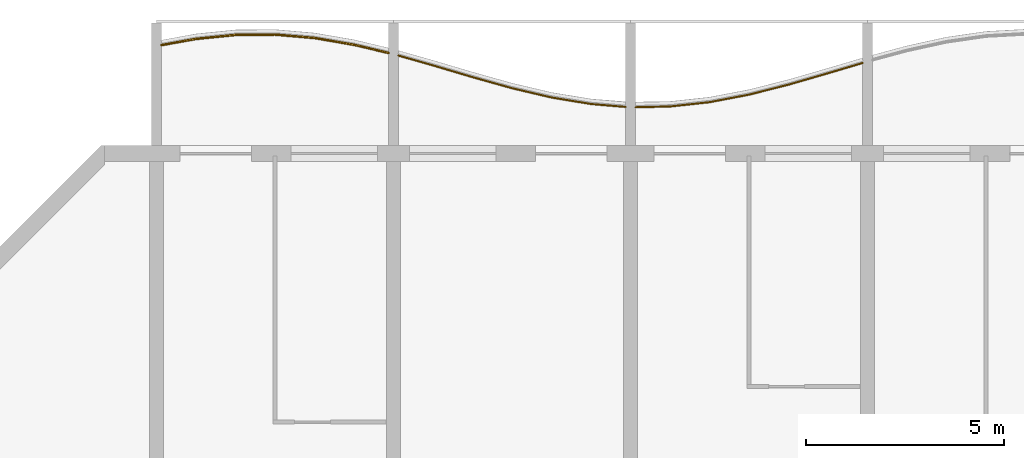
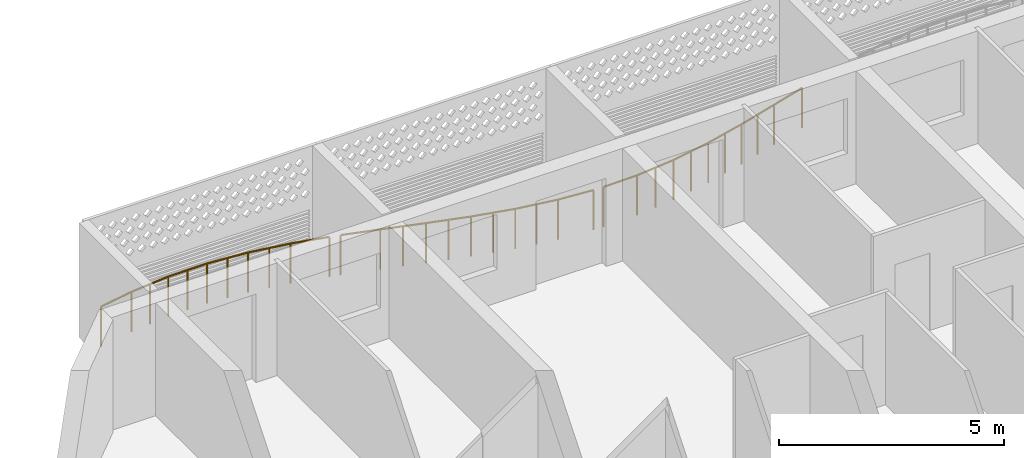
# One storey, part 17 of 24: 3 railings.
"""IFC4 building model written with IfcOpenShell, lengths in metres."""

from ifc_helpers import new_model, si_unit, direction, frame, origin, origin_2d, place, context, subcontext, project, spatial, circle, extrude, material, type_object, element, save


model = new_model("IFC4")

# Units and contexts
model_context = context("Model", 3, precision=1e-05, world=origin(), true_north=direction((0.0, 1.0)))
body_context = subcontext(model_context, "Body", "Model", "MODEL_VIEW")
ifc_project = project(units=[si_unit("LENGTHUNIT", "METRE"), si_unit("AREAUNIT", "SQUARE_METRE"), si_unit("VOLUMEUNIT", "CUBIC_METRE"), si_unit("PLANEANGLEUNIT", "RADIAN"), si_unit("MASSUNIT", "GRAM", prefix="KILO")], contexts=[model_context])

# Site, building, storey
site_placement = place(None, origin())
site = spatial("IfcSite", under=ifc_project, at=site_placement, CompositionType="ELEMENT")
building_placement = place(site_placement, origin())
building = spatial("IfcBuilding", under=site, at=building_placement, Name="Poui Terraces", CompositionType="ELEMENT")
storey_placement = place(building_placement, frame((0.0, 0.0, 109.199951171875)))
storey = spatial("IfcBuildingStorey", under=building, at=storey_placement, Name="L30", CompositionType="ELEMENT", Elevation=109.199951171875)

# Railings
ifc_material = material(Name="Painted steel fretwork", Category="steel")
railing_type = type_object("IfcRailingType", Name="BALCONY GUARD 1100", PredefinedType="GUARDRAIL", material=ifc_material)
railing_1_placement = place(storey_placement, frame((18.125, 46.3447265625, 0.0)))
element("IfcRailing", 1, at=railing_1_placement, inside=storey, type_object=railing_type, Name="BALCONY GUARD", PredefinedType="GUARDRAIL", context=body_context, shape_type="SweptSolid", body=[
    extrude(circle(Radius=0.02392578125, at=origin_2d()), frame((0.0, 0.0, 1.076171875), z_axis=(0.984189068803, 0.177121079626, 0.0), x_axis=(-0.177121079626, 0.984189068803, 0.0)), (0.0, 0.0, 1.0), 0.88916015625),
    extrude(circle(Radius=0.02392578125, at=origin_2d()), frame((0.875, 0.157470703125, 1.076171875), z_axis=(0.994882088655, 0.101042712129, 0.0), x_axis=(-0.101042712129, 0.994882088655, 0.0)), (0.0, 0.0, 1.0), 1.005126953125),
    extrude(circle(Radius=0.02392578125, at=origin_2d()), frame((1.875, 0.259033203125, 1.076171875), z_axis=(0.999967546851, 0.008056379162, 0.0), x_axis=(-0.008056379162, 0.999967546851, 0.0)), (0.0, 0.0, 1.0), 1.0),
    extrude(circle(Radius=0.02392578125, at=origin_2d()), frame((2.875, 0.26708984375, 1.076171875), z_axis=(0.996286084847, -0.086104803231, 0.0), x_axis=(0.086104803231, 0.996286084847, 0.0)), (0.0, 0.0, 1.0), 1.003662109375),
    extrude(circle(Radius=0.02392578125, at=origin_2d()), frame((3.875, 0.1806640625, 1.076171875), z_axis=(0.98554889076, -0.169391215599, 0.0), x_axis=(0.169391215599, 0.98554889076, 0.0)), (0.0, 0.0, 1.0), 1.0146484375),
    extrude(circle(Radius=0.02392578125, at=origin_2d()), frame((4.875, 0.0087890625, 1.076171875), z_axis=(0.973192348595, -0.229992723008, 0.0), x_axis=(0.229992723008, 0.973192348595, 0.0)), (0.0, 0.0, 1.0), 0.899169921875),
    extrude(circle(Radius=0.02099609375, at=origin_2d()), origin(), (0.0, 0.0, 1.0), 1.052001953125),
    extrude(circle(Radius=0.02099609375, at=origin_2d()), frame((0.875, 0.157470703125, 0.0)), (0.0, 0.0, 1.0), 1.052001953125),
    extrude(circle(Radius=0.02099609375, at=origin_2d()), frame((1.375, 0.208251953125, 0.0)), (0.0, 0.0, 1.0), 1.052001953125),
    extrude(circle(Radius=0.02099609375, at=origin_2d()), frame((1.875, 0.259033203125, 0.0)), (0.0, 0.0, 1.0), 1.052001953125),
    extrude(circle(Radius=0.02099609375, at=origin_2d()), frame((2.375, 0.26318359375, 0.0)), (0.0, 0.0, 1.0), 1.052001953125),
    extrude(circle(Radius=0.02099609375, at=origin_2d()), frame((2.875, 0.26708984375, 0.0)), (0.0, 0.0, 1.0), 1.052001953125),
    extrude(circle(Radius=0.02099609375, at=origin_2d()), frame((3.375, 0.223876953125, 0.0)), (0.0, 0.0, 1.0), 1.052001953125),
    extrude(circle(Radius=0.02099609375, at=origin_2d()), frame((3.875, 0.1806640625, 0.0)), (0.0, 0.0, 1.0), 1.052001953125),
    extrude(circle(Radius=0.02099609375, at=origin_2d()), frame((4.375, 0.0947265625, 0.0)), (0.0, 0.0, 1.0), 1.052001953125),
    extrude(circle(Radius=0.02099609375, at=origin_2d()), frame((4.875, 0.0087890625, 0.0)), (0.0, 0.0, 1.0), 1.052001953125),
    extrude(circle(Radius=0.02099609375, at=origin_2d()), frame((5.75, -0.197998046875, 0.0)), (0.0, 0.0, 1.0), 1.052001953125),
])
railing_2_placement = place(storey_placement, frame((24.125, 46.080322265625, 0.0)))
element("IfcRailing", 2, at=railing_2_placement, inside=storey, type_object=railing_type, Name="BALCONY GUARD", PredefinedType="GUARDRAIL", context=body_context, shape_type="SweptSolid", body=[
    extrude(circle(Radius=0.02392578125, at=origin_2d()), frame((0.0, 0.0, 1.076171875), z_axis=(0.961736307653, -0.273976777376, 0.0), x_axis=(0.273976777376, 0.961736307653, 0.0)), (0.0, 0.0, 1.0), 0.909912109375),
    extrude(circle(Radius=0.02392578125, at=origin_2d()), frame((0.875, -0.249267578125, 1.076171875), z_axis=(0.958710700624, -0.284383179018, 0.0), x_axis=(0.284383179018, 0.958710700624, 0.0)), (0.0, 0.0, 1.0), 1.04296875),
    extrude(circle(Radius=0.02392578125, at=origin_2d()), frame((1.875, -0.5458984375, 1.076171875), z_axis=(0.962895626656, -0.269874067237, 0.0), x_axis=(0.269874067237, 0.962895626656, 0.0)), (0.0, 0.0, 1.0), 1.03857421875),
    extrude(circle(Radius=0.02392578125, at=origin_2d()), frame((2.875, -0.826171875, 1.076171875), z_axis=(0.973510598085, -0.228641893398, 0.0), x_axis=(0.228641893398, 0.973510598085, 0.0)), (0.0, 0.0, 1.0), 1.027099609375),
    extrude(circle(Radius=0.02392578125, at=origin_2d()), frame((3.875, -1.06103515625, 1.076171875), z_axis=(0.986614372238, -0.163070783693, 0.0), x_axis=(0.163070783693, 0.986614372238, 0.0)), (0.0, 0.0, 1.0), 1.013671875),
    extrude(circle(Radius=0.02392578125, at=origin_2d()), frame((4.875, -1.226318359375, 1.076171875), z_axis=(0.996445334102, -0.08424189069, 0.0), x_axis=(0.08424189069, 0.996445334102, 0.0)), (0.0, 0.0, 1.0), 0.878173828125),
    extrude(circle(Radius=0.02099609375, at=origin_2d()), origin(), (0.0, 0.0, 1.0), 1.052001953125),
    extrude(circle(Radius=0.02099609375, at=origin_2d()), frame((0.875, -0.249267578125, 0.0)), (0.0, 0.0, 1.0), 1.052001953125),
    extrude(circle(Radius=0.02099609375, at=origin_2d()), frame((1.375, -0.3974609375, 0.0)), (0.0, 0.0, 1.0), 1.052001953125),
    extrude(circle(Radius=0.02099609375, at=origin_2d()), frame((1.875, -0.5458984375, 0.0)), (0.0, 0.0, 1.0), 1.052001953125),
    extrude(circle(Radius=0.02099609375, at=origin_2d()), frame((2.375, -0.68603515625, 0.0)), (0.0, 0.0, 1.0), 1.052001953125),
    extrude(circle(Radius=0.02099609375, at=origin_2d()), frame((2.875, -0.826171875, 0.0)), (0.0, 0.0, 1.0), 1.052001953125),
    extrude(circle(Radius=0.02099609375, at=origin_2d()), frame((3.375, -0.943603515625, 0.0)), (0.0, 0.0, 1.0), 1.052001953125),
    extrude(circle(Radius=0.02099609375, at=origin_2d()), frame((3.875, -1.06103515625, 0.0)), (0.0, 0.0, 1.0), 1.052001953125),
    extrude(circle(Radius=0.02099609375, at=origin_2d()), frame((4.375, -1.1435546875, 0.0)), (0.0, 0.0, 1.0), 1.052001953125),
    extrude(circle(Radius=0.02099609375, at=origin_2d()), frame((4.875, -1.226318359375, 0.0)), (0.0, 0.0, 1.0), 1.052001953125),
    extrude(circle(Radius=0.02099609375, at=origin_2d()), frame((5.75, -1.30029296875, 0.0)), (0.0, 0.0, 1.0), 1.052001953125),
])
railing_3_placement = place(storey_placement, frame((30.125, 44.772216796875, 0.0)))
element("IfcRailing", 3, at=railing_3_placement, inside=storey, type_object=railing_type, Name="BALCONY GUARD", PredefinedType="GUARDRAIL", context=body_context, shape_type="SweptSolid", body=[
    extrude(circle(Radius=0.02392578125, at=origin_2d()), frame((0.0, 0.0, 1.076171875), z_axis=(0.99976326146, 0.021758240623, 0.0), x_axis=(-0.021758240623, 0.99976326146, 0.0)), (0.0, 0.0, 1.0), 0.875244140625),
    extrude(circle(Radius=0.02392578125, at=origin_2d()), frame((0.875, 0.01904296875, 1.076171875), z_axis=(0.994124040351, 0.108246904784, 0.0), x_axis=(-0.108246904784, 0.994124040351, 0.0)), (0.0, 0.0, 1.0), 1.005859375),
    extrude(circle(Radius=0.02392578125, at=origin_2d()), frame((1.875, 0.1279296875, 1.076171875), z_axis=(0.982258715668, 0.187530838782, 0.0), x_axis=(-0.187530838782, 0.982258715668, 0.0)), (0.0, 0.0, 1.0), 1.01806640625),
    extrude(circle(Radius=0.02392578125, at=origin_2d()), frame((2.875, 0.31884765625, 1.076171875), z_axis=(0.969470524151, 0.245207876714, 0.0), x_axis=(-0.245207876714, 0.969470524151, 0.0)), (0.0, 0.0, 1.0), 1.031494140625),
    extrude(circle(Radius=0.02392578125, at=origin_2d()), frame((3.875, 0.57177734375, 1.076171875), z_axis=(0.960669700127, 0.277693585193, 0.0), x_axis=(-0.277693585193, 0.960669700127, 0.0)), (0.0, 0.0, 1.0), 1.041015625),
    extrude(circle(Radius=0.02392578125, at=origin_2d()), frame((4.875, 0.86083984375, 1.076171875), z_axis=(0.958865561228, 0.283860591647, 0.0), x_axis=(-0.283860591647, 0.958865561228, 0.0)), (0.0, 0.0, 1.0), 0.91259765625),
    extrude(circle(Radius=0.02099609375, at=origin_2d()), origin(), (0.0, 0.0, 1.0), 1.052001953125),
    extrude(circle(Radius=0.02099609375, at=origin_2d()), frame((0.875, 0.01904296875, 0.0)), (0.0, 0.0, 1.0), 1.052001953125),
    extrude(circle(Radius=0.02099609375, at=origin_2d()), frame((1.375, 0.073486328125, 0.0)), (0.0, 0.0, 1.0), 1.052001953125),
    extrude(circle(Radius=0.02099609375, at=origin_2d()), frame((1.875, 0.1279296875, 0.0)), (0.0, 0.0, 1.0), 1.052001953125),
    extrude(circle(Radius=0.02099609375, at=origin_2d()), frame((2.375, 0.223388671875, 0.0)), (0.0, 0.0, 1.0), 1.052001953125),
    extrude(circle(Radius=0.02099609375, at=origin_2d()), frame((2.875, 0.31884765625, 0.0)), (0.0, 0.0, 1.0), 1.052001953125),
    extrude(circle(Radius=0.02099609375, at=origin_2d()), frame((3.375, 0.4453125, 0.0)), (0.0, 0.0, 1.0), 1.052001953125),
    extrude(circle(Radius=0.02099609375, at=origin_2d()), frame((3.875, 0.57177734375, 0.0)), (0.0, 0.0, 1.0), 1.052001953125),
    extrude(circle(Radius=0.02099609375, at=origin_2d()), frame((4.375, 0.71630859375, 0.0)), (0.0, 0.0, 1.0), 1.052001953125),
    extrude(circle(Radius=0.02099609375, at=origin_2d()), frame((4.875, 0.86083984375, 0.0)), (0.0, 0.0, 1.0), 1.052001953125),
    extrude(circle(Radius=0.02099609375, at=origin_2d()), frame((5.75, 1.119873046875, 0.0)), (0.0, 0.0, 1.0), 1.052001953125),
])

save(model, "model.ifc")
